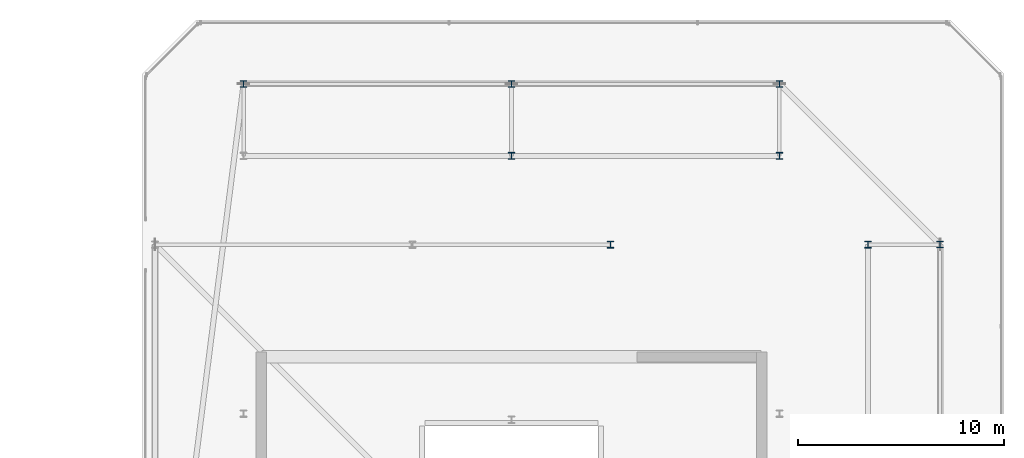
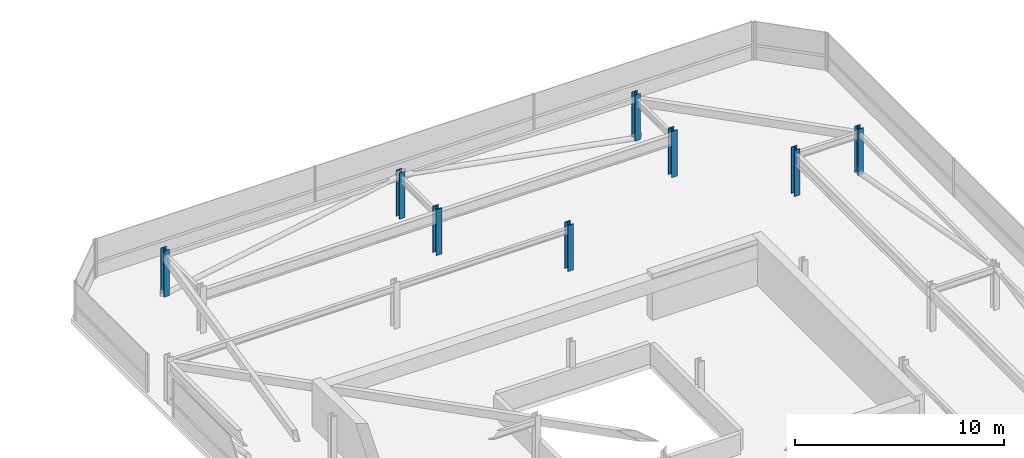
# One storey, part 6 of 42: 8 columns.
"""IFC4 building model written with IfcOpenShell, lengths in metres."""

from ifc_helpers import new_model, si_unit, direction, frame, origin, origin_2d, place, context, subcontext, project, spatial, i_section, extrude, material, material_profile, profile_set, type_object, element, save


model = new_model("IFC4")

# Units and contexts
model_context = context("Model", 3, precision=1e-05, world=origin(), true_north=direction((0.0, 1.0)))
body_context = subcontext(model_context, "Body", "Model", "MODEL_VIEW")
ifc_project = project(units=[si_unit("LENGTHUNIT", "METRE"), si_unit("AREAUNIT", "SQUARE_METRE"), si_unit("VOLUMEUNIT", "CUBIC_METRE"), si_unit("PLANEANGLEUNIT", "RADIAN"), si_unit("MASSUNIT", "GRAM", prefix="KILO")], contexts=[model_context])

# Site, building, storey
site_placement = place(None, origin())
site = spatial("IfcSite", under=ifc_project, at=site_placement, CompositionType="ELEMENT")
building_placement = place(site_placement, origin())
building = spatial("IfcBuilding", under=site, at=building_placement, Name="Thornwick Lancets Civic Towers", CompositionType="ELEMENT")
storey_placement = place(building_placement, frame((0.0, 0.0, 286.800048828125)))
storey = spatial("IfcBuildingStorey", under=building, at=storey_placement, Name="C03", CompositionType="ELEMENT", Elevation=286.800048828125)

# Columns
ifc_material = material(Name="Steel S355JR", Category="steel")
ifc_material_profile_1 = material_profile(ifc_material, i_section(OverallWidth=0.30908203125, OverallDepth=0.320556640625, WebThickness=0.013916015625, FlangeThickness=0.021728515625, FilletRadius=0.01513671875, at=origin_2d()), Name="UKC 305x305x137")
ifc_profile_set_1 = profile_set([ifc_material_profile_1], Name="Steel S355JR")
column_type_1 = type_object("IfcColumnType", Name="COL_UKC_137", PredefinedType="COLUMN", material=ifc_profile_set_1)
for number, where, z_axis, x_axis, name in (
    (1, (109.300048828125, 40.0, 0.0), (0.0, 0.0, 1.0), (1.0, 0.0, 0.0), "C03 Block Perimeter Column B03"),
    (2, (101.5, 47.800048828125, 0.0), (0.0, 0.0, 1.0), (1.0, 0.0, 0.0), "C03 Block Perimeter Column B04"),
    (3, (88.5, 47.800048828125, 0.0), (0.0, 0.0, 1.0), (1.0, 0.0, 0.0), "C03 Block Perimeter Column B05"),
    (4, (75.5, 47.800048828125, 0.0), (0.0, 0.0, 1.0), (1.0, 0.0, 0.0), "C03 Block Perimeter Column B06"),
):
    element("IfcColumn", number, at=place(storey_placement, frame(where, z_axis=z_axis, x_axis=x_axis)), inside=storey, type_object=column_type_1, Name=name, PredefinedType="COLUMN", context=body_context, shape_type="SweptSolid", body=[
        extrude(i_section(OverallWidth=0.30908203125, OverallDepth=0.320556640625, WebThickness=0.013916015625, FlangeThickness=0.021728515625, FilletRadius=0.01513671875, at=origin_2d()), origin(), (0.0, 0.0, 1.0), 2.699951171875),
    ])
ifc_material_profile_2 = material_profile(ifc_material, i_section(OverallWidth=0.314453125, OverallDepth=0.33984375, WebThickness=0.01904296875, FlangeThickness=0.031494140625, FilletRadius=0.01513671875, at=origin_2d()), Name="UKC 305x305x198")
ifc_profile_set_2 = profile_set([ifc_material_profile_2], Name="Steel S355JR")
column_type_2 = type_object("IfcColumnType", Name="COL_UKC_198", PredefinedType="COLUMN", material=ifc_profile_set_2)
for number, where, z_axis, x_axis, name in (
    (5, (105.800048828125, 40.0, 0.0), (0.0, 0.0, 1.0), (1.0, 0.0, 0.0), "C03 Spine Mega-Column B03"),
    (6, (101.5, 44.300048828125, 0.0), (0.0, 0.0, 1.0), (1.0, 0.0, 0.0), "C03 Spine Mega-Column B04"),
    (7, (88.5, 44.300048828125, 0.0), (0.0, 0.0, 1.0), (1.0, 0.0, 0.0), "C03 Spine Mega-Column B05"),
    (8, (93.300048828125, 40.0, 0.0), (0.0, 0.0, 1.0), (1.0, 0.0, 0.0), "C03 Spine Mega-Column B14"),
):
    element("IfcColumn", number, at=place(storey_placement, frame(where, z_axis=z_axis, x_axis=x_axis)), inside=storey, type_object=column_type_2, Name=name, PredefinedType="COLUMN", context=body_context, shape_type="SweptSolid", body=[
        extrude(i_section(OverallWidth=0.314453125, OverallDepth=0.33984375, WebThickness=0.01904296875, FlangeThickness=0.031494140625, FilletRadius=0.01513671875, at=origin_2d()), origin(), (0.0, 0.0, 1.0), 2.699951171875),
    ])

save(model, "model.ifc")
